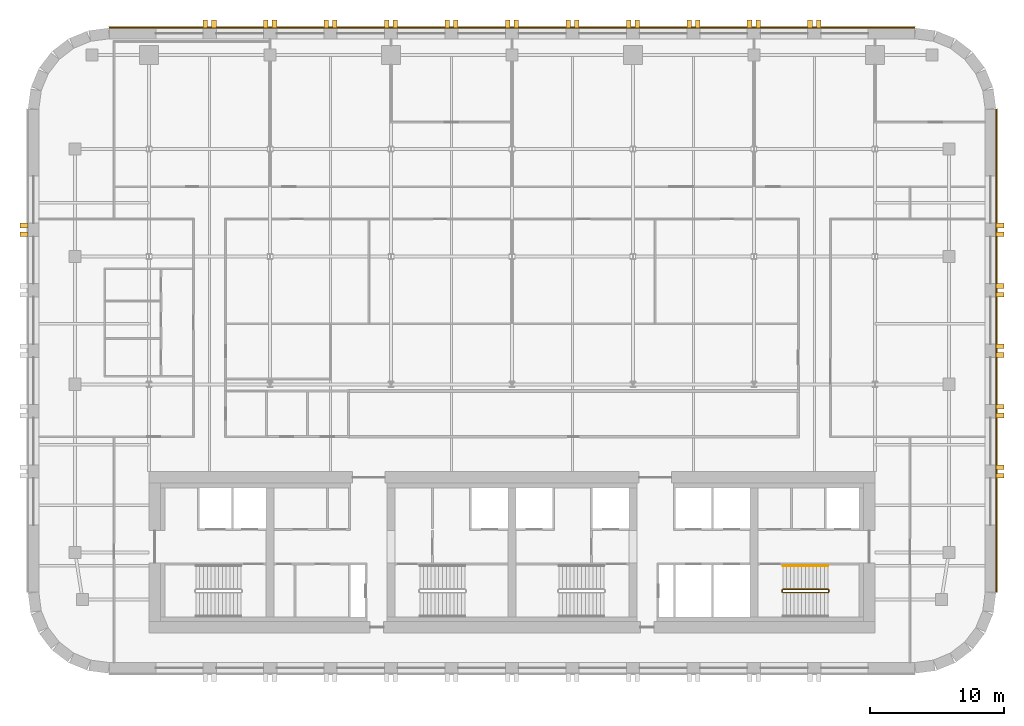
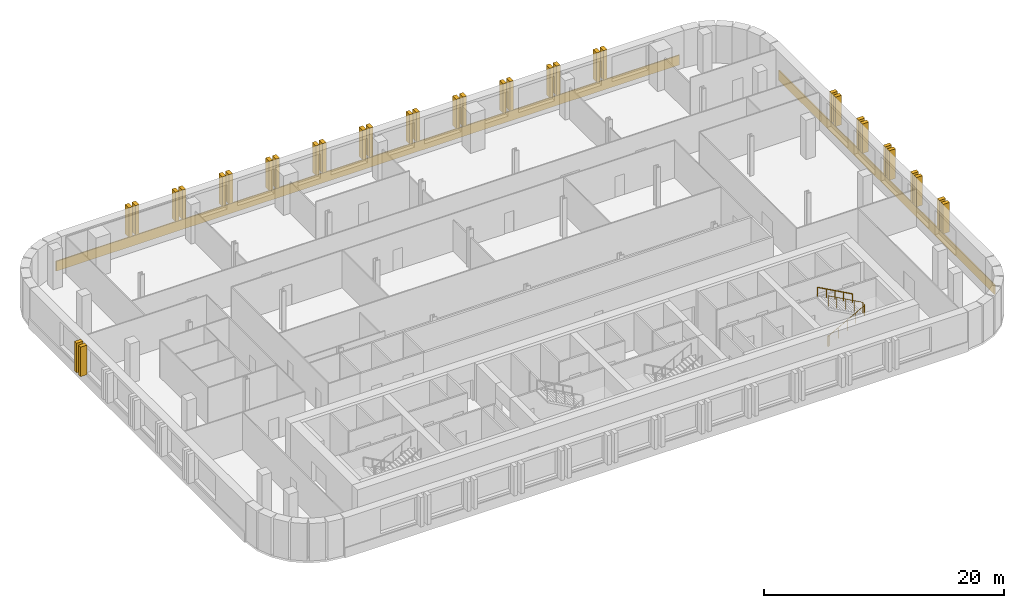
# One storey, part 9 of 9: 36 coverings, 2 railings.
"""IFC4 building model written with IfcOpenShell, lengths in metres."""

from ifc_helpers import new_model, si_unit, direction, frame, origin, origin_2d, place, context, subcontext, project, spatial, polyline, circle, outline, extrude, material, layer, layer_set, type_object, element, save


model = new_model("IFC4")

# Units and contexts
model_context = context("Model", 3, precision=1e-05, world=origin(), true_north=direction((0.0, 1.0)))
body_context = subcontext(model_context, "Body", "Model", "MODEL_VIEW")
ifc_project = project(units=[si_unit("LENGTHUNIT", "METRE"), si_unit("AREAUNIT", "SQUARE_METRE"), si_unit("VOLUMEUNIT", "CUBIC_METRE"), si_unit("PLANEANGLEUNIT", "RADIAN"), si_unit("MASSUNIT", "GRAM", prefix="KILO")], contexts=[model_context])

# Site, building, storey
site_placement = place(None, origin())
site = spatial("IfcSite", under=ifc_project, at=site_placement, CompositionType="ELEMENT")
building_placement = place(site_placement, origin())
building = spatial("IfcBuilding", under=site, at=building_placement, Name="Zellij Exchange Tower", CompositionType="ELEMENT")
storey_placement = place(building_placement, frame((0.0, 0.0, 184.5)))
storey = spatial("IfcBuildingStorey", under=building, at=storey_placement, Name="L42", CompositionType="ELEMENT", Elevation=184.5)

# Railings
ifc_material_1 = material(Name="Stainless steel", Category="steel")
railing_type_1 = type_object("IfcRailingType", Name="CORE-RG stair guard", PredefinedType="GUARDRAIL", material=ifc_material_1)
railing_1_placement = place(storey_placement, frame((20.10009765625, -10.949951171875, 0.0)))
element("IfcRailing", 1, at=railing_1_placement, inside=storey, type_object=railing_type_1, Name="ST4 stair guard L42", PredefinedType="GUARDRAIL", context=body_context, shape_type="SweptSolid", body=[
    extrude(circle(Radius=0.02392578125, at=origin_2d()), frame((0.0, 0.0, 1.076171875), z_axis=(0.0, 1.0, 0.0), x_axis=(-1.0, 0.0, 0.0)), (0.0, 0.0, 1.0), 0.14990234375),
    extrude(circle(Radius=0.02392578125, at=origin_2d()), frame((0.0, 0.14990234375, 1.076171875), z_axis=(0.193691321961, -0.777613689637, 0.598164376644), x_axis=(0.970351222016, 0.241699205484, 0.0)), (0.0, 0.0, 1.0), 0.257080078125),
    extrude(circle(Radius=0.02392578125, at=origin_2d()), frame((0.0498046875, -0.050048828125, 1.22998046875), z_axis=(0.876421534553, 0.0, 0.481544695509), x_axis=(0.0, 1.0, 0.0)), (0.0, 0.0, 1.0), 3.833984375),
    extrude(circle(Radius=0.02392578125, at=origin_2d()), frame((3.409912109375, -0.050048828125, 3.076171875), z_axis=(0.707106781187, 0.707106781187, 0.0), x_axis=(-0.707106781187, 0.707106781187, 0.0)), (0.0, 0.0, 1.0), 0.07080078125),
    extrude(circle(Radius=0.02392578125, at=origin_2d()), frame((3.4599609375, 0.0, 3.076171875), z_axis=(0.0, 1.0, 0.0), x_axis=(-1.0, 0.0, 0.0)), (0.0, 0.0, 1.0), 0.14990234375),
    extrude(circle(Radius=0.02392578125, at=origin_2d()), frame((3.4599609375, 0.14990234375, 3.076171875), z_axis=(-0.295599637079, 0.295599637079, 0.908428152975), x_axis=(-0.707106781187, -0.707106781187, 0.0)), (0.0, 0.0, 1.0), 0.16943359375),
    extrude(circle(Radius=0.02392578125, at=origin_2d()), frame((3.409912109375, 0.199951171875, 3.22998046875), z_axis=(-0.876421534553, 0.0, 0.481544695509), x_axis=(0.0, -1.0, 0.0)), (0.0, 0.0, 1.0), 3.833984375),
    extrude(circle(Radius=0.02099609375, at=origin_2d()), origin(), (0.0, 0.0, 1.0), 1.052001953125),
    extrude(circle(Radius=0.02099609375, at=origin_2d()), frame((0.0, 0.14990234375, 0.0)), (0.0, 0.0, 1.0), 1.052001953125),
    extrude(circle(Radius=0.02099609375, at=origin_2d()), frame((0.0498046875, -0.050048828125, 0.15380859375)), (0.0, 0.0, 1.0), 1.052001953125),
    extrude(circle(Radius=0.02099609375, at=origin_2d()), frame((0.889892578125, -0.050048828125, 0.615234375)), (0.0, 0.0, 1.0), 1.052001953125),
    extrude(circle(Radius=0.02099609375, at=origin_2d()), frame((1.72998046875, -0.050048828125, 1.076904296875)), (0.0, 0.0, 1.0), 1.052001953125),
    extrude(circle(Radius=0.02099609375, at=origin_2d()), frame((2.56982421875, -0.050048828125, 1.53857421875)), (0.0, 0.0, 1.0), 1.052001953125),
    extrude(circle(Radius=0.02099609375, at=origin_2d()), frame((3.409912109375, -0.050048828125, 2.0)), (0.0, 0.0, 1.0), 1.052001953125),
    extrude(circle(Radius=0.02099609375, at=origin_2d()), frame((3.4599609375, 0.0, 2.0)), (0.0, 0.0, 1.0), 1.052001953125),
    extrude(circle(Radius=0.02099609375, at=origin_2d()), frame((3.4599609375, 0.14990234375, 2.0)), (0.0, 0.0, 1.0), 1.052001953125),
    extrude(circle(Radius=0.02099609375, at=origin_2d()), frame((3.409912109375, 0.199951171875, 2.15380859375)), (0.0, 0.0, 1.0), 1.052001953125),
    extrude(circle(Radius=0.02099609375, at=origin_2d()), frame((2.56982421875, 0.199951171875, 2.615234375)), (0.0, 0.0, 1.0), 1.052001953125),
    extrude(circle(Radius=0.02099609375, at=origin_2d()), frame((1.72998046875, 0.199951171875, 3.076904296875)), (0.0, 0.0, 1.0), 1.052001953125),
    extrude(circle(Radius=0.02099609375, at=origin_2d()), frame((0.889892578125, 0.199951171875, 3.53857421875)), (0.0, 0.0, 1.0), 1.052001953125),
    extrude(circle(Radius=0.02099609375, at=origin_2d()), frame((0.0498046875, 0.199951171875, 4.0)), (0.0, 0.0, 1.0), 1.052001953125),
])
railing_type_2 = type_object("IfcRailingType", Name="CORE-RH stair handrail", PredefinedType="HANDRAIL", material=ifc_material_1)
railing_2_placement = place(storey_placement, frame((23.510009765625, -9.0, 2.15380859375)))
element("IfcRailing", 2, at=railing_2_placement, inside=storey, type_object=railing_type_2, Name="ST4 stair handrail L42", PredefinedType="HANDRAIL", context=body_context, shape_type="SweptSolid", body=[
    extrude(circle(Radius=0.02392578125, at=origin_2d()), frame((0.0, 0.0, 0.8759765625), z_axis=(-0.876421534553, 0.0, 0.481544695509), x_axis=(0.0, -1.0, 0.0)), (0.0, 0.0, 1.0), 3.833984375),
    extrude(circle(Radius=0.02099609375, at=origin_2d()), origin(), (0.0, 0.0, 1.0), 0.851806640625),
    extrude(circle(Radius=0.02099609375, at=origin_2d()), frame((-0.840087890625, 0.0, 0.46142578125)), (0.0, 0.0, 1.0), 0.851806640625),
    extrude(circle(Radius=0.02099609375, at=origin_2d()), frame((-1.68017578125, 0.0, 0.923095703125)), (0.0, 0.0, 1.0), 0.851806640625),
    extrude(circle(Radius=0.02099609375, at=origin_2d()), frame((-2.52001953125, 0.0, 1.384765625)), (0.0, 0.0, 1.0), 0.851806640625),
    extrude(circle(Radius=0.02099609375, at=origin_2d()), frame((-3.360107421875, 0.0, 1.84619140625)), (0.0, 0.0, 1.0), 0.851806640625),
])

# Coverings
ifc_material_2 = material(Name="Limestone cladding", Category="masonry")
covering_type_1 = type_object("IfcCoveringType", Name="ENV-CV3 Stone pier 350x600", PredefinedType="CLADDING", material=ifc_material_2)
covering_1_placement = place(storey_placement, frame((0.0, 0.0, 0.800048828125)))
element("IfcCovering", 3, at=covering_1_placement, inside=storey, type_object=covering_type_1, Name="Stone pier", PredefinedType="CLADDING", context=body_context, shape_type="SweptSolid", body=[
    extrude(outline(polyline([(36.0, -2.48681640625), (36.0, -2.136962890625), (36.60009765625, -2.136962890625), (36.60009765625, -2.48681640625), (36.0, -2.48681640625)])), origin(), (0.0, 0.0, 1.0), 3.0),
])
covering_2_placement = place(storey_placement, frame((0.0, 0.0, 0.800048828125)))
element("IfcCovering", 4, at=covering_2_placement, inside=storey, type_object=covering_type_1, Name="Stone pier", PredefinedType="CLADDING", context=body_context, shape_type="SweptSolid", body=[
    extrude(outline(polyline([(36.0, -1.8369140625), (36.0, -1.48681640625), (36.60009765625, -1.48681640625), (36.60009765625, -1.8369140625), (36.0, -1.8369140625)])), origin(), (0.0, 0.0, 1.0), 3.0),
])
covering_3_placement = place(storey_placement, frame((0.0, 0.0, 0.800048828125)))
element("IfcCovering", 5, at=covering_3_placement, inside=storey, type_object=covering_type_1, Name="Stone pier", PredefinedType="CLADDING", context=body_context, shape_type="SweptSolid", body=[
    extrude(outline(polyline([(36.0, 2.006591796875), (36.0, 2.3564453125), (36.60009765625, 2.3564453125), (36.60009765625, 2.006591796875), (36.0, 2.006591796875)])), origin(), (0.0, 0.0, 1.0), 3.0),
])
covering_4_placement = place(storey_placement, frame((0.0, 0.0, 0.800048828125)))
element("IfcCovering", 6, at=covering_4_placement, inside=storey, type_object=covering_type_1, Name="Stone pier", PredefinedType="CLADDING", context=body_context, shape_type="SweptSolid", body=[
    extrude(outline(polyline([(36.0, 2.656494140625), (36.0, 3.006591796875), (36.60009765625, 3.006591796875), (36.60009765625, 2.656494140625), (36.0, 2.656494140625)])), origin(), (0.0, 0.0, 1.0), 3.0),
])
covering_5_placement = place(storey_placement, frame((0.0, 0.0, 0.800048828125)))
element("IfcCovering", 7, at=covering_5_placement, inside=storey, type_object=covering_type_1, Name="Stone pier", PredefinedType="CLADDING", context=body_context, shape_type="SweptSolid", body=[
    extrude(outline(polyline([(36.0, 6.5), (36.0, 6.85009765625), (36.60009765625, 6.85009765625), (36.60009765625, 6.5), (36.0, 6.5)])), origin(), (0.0, 0.0, 1.0), 3.0),
])
covering_6_placement = place(storey_placement, frame((0.0, 0.0, 0.800048828125)))
element("IfcCovering", 8, at=covering_6_placement, inside=storey, type_object=covering_type_1, Name="Stone pier", PredefinedType="CLADDING", context=body_context, shape_type="SweptSolid", body=[
    extrude(outline(polyline([(36.0, 7.14990234375), (36.0, 7.5), (36.60009765625, 7.5), (36.60009765625, 7.14990234375), (36.0, 7.14990234375)])), origin(), (0.0, 0.0, 1.0), 3.0),
])
covering_7_placement = place(storey_placement, frame((0.0, 0.0, 0.800048828125)))
element("IfcCovering", 9, at=covering_7_placement, inside=storey, type_object=covering_type_1, Name="Stone pier", PredefinedType="CLADDING", context=body_context, shape_type="SweptSolid", body=[
    extrude(outline(polyline([(36.0, 10.993408203125), (36.0, 11.343505859375), (36.60009765625, 11.343505859375), (36.60009765625, 10.993408203125), (36.0, 10.993408203125)])), origin(), (0.0, 0.0, 1.0), 3.0),
])
covering_8_placement = place(storey_placement, frame((0.0, 0.0, 0.800048828125)))
element("IfcCovering", 10, at=covering_8_placement, inside=storey, type_object=covering_type_1, Name="Stone pier", PredefinedType="CLADDING", context=body_context, shape_type="SweptSolid", body=[
    extrude(outline(polyline([(36.0, 11.643310546875), (36.0, 11.993408203125), (36.60009765625, 11.993408203125), (36.60009765625, 11.643310546875), (36.0, 11.643310546875)])), origin(), (0.0, 0.0, 1.0), 3.0),
])
covering_9_placement = place(storey_placement, frame((0.0, 0.0, 0.800048828125)))
element("IfcCovering", 11, at=covering_9_placement, inside=storey, type_object=covering_type_1, Name="Stone pier", PredefinedType="CLADDING", context=body_context, shape_type="SweptSolid", body=[
    extrude(outline(polyline([(36.0, 15.48681640625), (36.0, 15.8369140625), (36.60009765625, 15.8369140625), (36.60009765625, 15.48681640625), (36.0, 15.48681640625)])), origin(), (0.0, 0.0, 1.0), 3.0),
])
covering_10_placement = place(storey_placement, frame((0.0, 0.0, 0.800048828125)))
element("IfcCovering", 12, at=covering_10_placement, inside=storey, type_object=covering_type_1, Name="Stone pier", PredefinedType="CLADDING", context=body_context, shape_type="SweptSolid", body=[
    extrude(outline(polyline([(36.0, 16.136962890625), (36.0, 16.48681640625), (36.60009765625, 16.48681640625), (36.60009765625, 16.136962890625), (36.0, 16.136962890625)])), origin(), (0.0, 0.0, 1.0), 3.0),
])
covering_11_placement = place(storey_placement, frame((0.0, 0.0, 0.800048828125)))
element("IfcCovering", 13, at=covering_11_placement, inside=storey, type_object=covering_type_1, Name="Stone pier", PredefinedType="CLADDING", context=body_context, shape_type="SweptSolid", body=[
    extrude(outline(polyline([(23.0, 31.0), (22.64990234375, 31.0), (22.64990234375, 31.60009765625), (23.0, 31.60009765625), (23.0, 31.0)])), origin(), (0.0, 0.0, 1.0), 3.0),
])
covering_12_placement = place(storey_placement, frame((0.0, 0.0, 0.800048828125)))
element("IfcCovering", 14, at=covering_12_placement, inside=storey, type_object=covering_type_1, Name="Stone pier", PredefinedType="CLADDING", context=body_context, shape_type="SweptSolid", body=[
    extrude(outline(polyline([(22.35009765625, 31.0), (22.0, 31.0), (22.0, 31.60009765625), (22.35009765625, 31.60009765625), (22.35009765625, 31.0)])), origin(), (0.0, 0.0, 1.0), 3.0),
])
covering_13_placement = place(storey_placement, frame((0.0, 0.0, 0.800048828125)))
element("IfcCovering", 15, at=covering_13_placement, inside=storey, type_object=covering_type_1, Name="Stone pier", PredefinedType="CLADDING", context=body_context, shape_type="SweptSolid", body=[
    extrude(outline(polyline([(18.5, 31.0), (18.14990234375, 31.0), (18.14990234375, 31.60009765625), (18.5, 31.60009765625), (18.5, 31.0)])), origin(), (0.0, 0.0, 1.0), 3.0),
])
covering_14_placement = place(storey_placement, frame((0.0, 0.0, 0.800048828125)))
element("IfcCovering", 16, at=covering_14_placement, inside=storey, type_object=covering_type_1, Name="Stone pier", PredefinedType="CLADDING", context=body_context, shape_type="SweptSolid", body=[
    extrude(outline(polyline([(17.85009765625, 31.0), (17.5, 31.0), (17.5, 31.60009765625), (17.85009765625, 31.60009765625), (17.85009765625, 31.0)])), origin(), (0.0, 0.0, 1.0), 3.0),
])
covering_15_placement = place(storey_placement, frame((0.0, 0.0, 0.800048828125)))
element("IfcCovering", 17, at=covering_15_placement, inside=storey, type_object=covering_type_1, Name="Stone pier", PredefinedType="CLADDING", context=body_context, shape_type="SweptSolid", body=[
    extrude(outline(polyline([(14.0, 31.0), (13.64990234375, 31.0), (13.64990234375, 31.60009765625), (14.0, 31.60009765625), (14.0, 31.0)])), origin(), (0.0, 0.0, 1.0), 3.0),
])
covering_16_placement = place(storey_placement, frame((0.0, 0.0, 0.800048828125)))
element("IfcCovering", 18, at=covering_16_placement, inside=storey, type_object=covering_type_1, Name="Stone pier", PredefinedType="CLADDING", context=body_context, shape_type="SweptSolid", body=[
    extrude(outline(polyline([(13.35009765625, 31.0), (13.0, 31.0), (13.0, 31.60009765625), (13.35009765625, 31.60009765625), (13.35009765625, 31.0)])), origin(), (0.0, 0.0, 1.0), 3.0),
])
covering_17_placement = place(storey_placement, frame((0.0, 0.0, 0.800048828125)))
element("IfcCovering", 19, at=covering_17_placement, inside=storey, type_object=covering_type_1, Name="Stone pier", PredefinedType="CLADDING", context=body_context, shape_type="SweptSolid", body=[
    extrude(outline(polyline([(9.5, 31.0), (9.14990234375, 31.0), (9.14990234375, 31.60009765625), (9.5, 31.60009765625), (9.5, 31.0)])), origin(), (0.0, 0.0, 1.0), 3.0),
])
covering_18_placement = place(storey_placement, frame((0.0, 0.0, 0.800048828125)))
element("IfcCovering", 20, at=covering_18_placement, inside=storey, type_object=covering_type_1, Name="Stone pier", PredefinedType="CLADDING", context=body_context, shape_type="SweptSolid", body=[
    extrude(outline(polyline([(8.85009765625, 31.0), (8.5, 31.0), (8.5, 31.60009765625), (8.85009765625, 31.60009765625), (8.85009765625, 31.0)])), origin(), (0.0, 0.0, 1.0), 3.0),
])
covering_19_placement = place(storey_placement, frame((0.0, 0.0, 0.800048828125)))
element("IfcCovering", 21, at=covering_19_placement, inside=storey, type_object=covering_type_1, Name="Stone pier", PredefinedType="CLADDING", context=body_context, shape_type="SweptSolid", body=[
    extrude(outline(polyline([(5.0, 31.0), (4.64990234375, 31.0), (4.64990234375, 31.60009765625), (5.0, 31.60009765625), (5.0, 31.0)])), origin(), (0.0, 0.0, 1.0), 3.0),
])
covering_20_placement = place(storey_placement, frame((0.0, 0.0, 0.800048828125)))
element("IfcCovering", 22, at=covering_20_placement, inside=storey, type_object=covering_type_1, Name="Stone pier", PredefinedType="CLADDING", context=body_context, shape_type="SweptSolid", body=[
    extrude(outline(polyline([(4.35009765625, 31.0), (4.0, 31.0), (4.0, 31.60009765625), (4.35009765625, 31.60009765625), (4.35009765625, 31.0)])), origin(), (0.0, 0.0, 1.0), 3.0),
])
covering_21_placement = place(storey_placement, frame((0.0, 0.0, 0.800048828125)))
element("IfcCovering", 23, at=covering_21_placement, inside=storey, type_object=covering_type_1, Name="Stone pier", PredefinedType="CLADDING", context=body_context, shape_type="SweptSolid", body=[
    extrude(outline(polyline([(0.5, 31.0), (0.14990234375, 31.0), (0.14990234375, 31.60009765625), (0.5, 31.60009765625), (0.5, 31.0)])), origin(), (0.0, 0.0, 1.0), 3.0),
])
covering_22_placement = place(storey_placement, frame((0.0, 0.0, 0.800048828125)))
element("IfcCovering", 24, at=covering_22_placement, inside=storey, type_object=covering_type_1, Name="Stone pier", PredefinedType="CLADDING", context=body_context, shape_type="SweptSolid", body=[
    extrude(outline(polyline([(-0.14990234375, 31.0), (-0.5, 31.0), (-0.5, 31.60009765625), (-0.14990234375, 31.60009765625), (-0.14990234375, 31.0)])), origin(), (0.0, 0.0, 1.0), 3.0),
])
covering_23_placement = place(storey_placement, frame((0.0, 0.0, 0.800048828125)))
element("IfcCovering", 25, at=covering_23_placement, inside=storey, type_object=covering_type_1, Name="Stone pier", PredefinedType="CLADDING", context=body_context, shape_type="SweptSolid", body=[
    extrude(outline(polyline([(-4.0, 31.0), (-4.35009765625, 31.0), (-4.35009765625, 31.60009765625), (-4.0, 31.60009765625), (-4.0, 31.0)])), origin(), (0.0, 0.0, 1.0), 3.0),
])
covering_24_placement = place(storey_placement, frame((0.0, 0.0, 0.800048828125)))
element("IfcCovering", 26, at=covering_24_placement, inside=storey, type_object=covering_type_1, Name="Stone pier", PredefinedType="CLADDING", context=body_context, shape_type="SweptSolid", body=[
    extrude(outline(polyline([(-4.64990234375, 31.0), (-5.0, 31.0), (-5.0, 31.60009765625), (-4.64990234375, 31.60009765625), (-4.64990234375, 31.0)])), origin(), (0.0, 0.0, 1.0), 3.0),
])
covering_25_placement = place(storey_placement, frame((0.0, 0.0, 0.800048828125)))
element("IfcCovering", 27, at=covering_25_placement, inside=storey, type_object=covering_type_1, Name="Stone pier", PredefinedType="CLADDING", context=body_context, shape_type="SweptSolid", body=[
    extrude(outline(polyline([(-8.5, 31.0), (-8.85009765625, 31.0), (-8.85009765625, 31.60009765625), (-8.5, 31.60009765625), (-8.5, 31.0)])), origin(), (0.0, 0.0, 1.0), 3.0),
])
covering_26_placement = place(storey_placement, frame((0.0, 0.0, 0.800048828125)))
element("IfcCovering", 28, at=covering_26_placement, inside=storey, type_object=covering_type_1, Name="Stone pier", PredefinedType="CLADDING", context=body_context, shape_type="SweptSolid", body=[
    extrude(outline(polyline([(-9.14990234375, 31.0), (-9.5, 31.0), (-9.5, 31.60009765625), (-9.14990234375, 31.60009765625), (-9.14990234375, 31.0)])), origin(), (0.0, 0.0, 1.0), 3.0),
])
covering_27_placement = place(storey_placement, frame((0.0, 0.0, 0.800048828125)))
element("IfcCovering", 29, at=covering_27_placement, inside=storey, type_object=covering_type_1, Name="Stone pier", PredefinedType="CLADDING", context=body_context, shape_type="SweptSolid", body=[
    extrude(outline(polyline([(-13.0, 31.0), (-13.35009765625, 31.0), (-13.35009765625, 31.60009765625), (-13.0, 31.60009765625), (-13.0, 31.0)])), origin(), (0.0, 0.0, 1.0), 3.0),
])
covering_28_placement = place(storey_placement, frame((0.0, 0.0, 0.800048828125)))
element("IfcCovering", 30, at=covering_28_placement, inside=storey, type_object=covering_type_1, Name="Stone pier", PredefinedType="CLADDING", context=body_context, shape_type="SweptSolid", body=[
    extrude(outline(polyline([(-13.64990234375, 31.0), (-14.0, 31.0), (-14.0, 31.60009765625), (-13.64990234375, 31.60009765625), (-13.64990234375, 31.0)])), origin(), (0.0, 0.0, 1.0), 3.0),
])
covering_29_placement = place(storey_placement, frame((0.0, 0.0, 0.800048828125)))
element("IfcCovering", 31, at=covering_29_placement, inside=storey, type_object=covering_type_1, Name="Stone pier", PredefinedType="CLADDING", context=body_context, shape_type="SweptSolid", body=[
    extrude(outline(polyline([(-17.5, 31.0), (-17.85009765625, 31.0), (-17.85009765625, 31.60009765625), (-17.5, 31.60009765625), (-17.5, 31.0)])), origin(), (0.0, 0.0, 1.0), 3.0),
])
covering_30_placement = place(storey_placement, frame((0.0, 0.0, 0.800048828125)))
element("IfcCovering", 32, at=covering_30_placement, inside=storey, type_object=covering_type_1, Name="Stone pier", PredefinedType="CLADDING", context=body_context, shape_type="SweptSolid", body=[
    extrude(outline(polyline([(-18.14990234375, 31.0), (-18.5, 31.0), (-18.5, 31.60009765625), (-18.14990234375, 31.60009765625), (-18.14990234375, 31.0)])), origin(), (0.0, 0.0, 1.0), 3.0),
])
covering_31_placement = place(storey_placement, frame((0.0, 0.0, 0.800048828125)))
element("IfcCovering", 33, at=covering_31_placement, inside=storey, type_object=covering_type_1, Name="Stone pier", PredefinedType="CLADDING", context=body_context, shape_type="SweptSolid", body=[
    extrude(outline(polyline([(-22.0, 31.0), (-22.35009765625, 31.0), (-22.35009765625, 31.60009765625), (-22.0, 31.60009765625), (-22.0, 31.0)])), origin(), (0.0, 0.0, 1.0), 3.0),
])
covering_32_placement = place(storey_placement, frame((0.0, 0.0, 0.800048828125)))
element("IfcCovering", 34, at=covering_32_placement, inside=storey, type_object=covering_type_1, Name="Stone pier", PredefinedType="CLADDING", context=body_context, shape_type="SweptSolid", body=[
    extrude(outline(polyline([(-22.64990234375, 31.0), (-23.0, 31.0), (-23.0, 31.60009765625), (-22.64990234375, 31.60009765625), (-22.64990234375, 31.0)])), origin(), (0.0, 0.0, 1.0), 3.0),
])
covering_33_placement = place(storey_placement, frame((0.0, 0.0, 0.800048828125)))
element("IfcCovering", 35, at=covering_33_placement, inside=storey, type_object=covering_type_1, Name="Stone pier", PredefinedType="CLADDING", context=body_context, shape_type="SweptSolid", body=[
    extrude(outline(polyline([(-36.0, 16.48681640625), (-36.0, 16.136962890625), (-36.60009765625, 16.136962890625), (-36.60009765625, 16.48681640625), (-36.0, 16.48681640625)])), origin(), (0.0, 0.0, 1.0), 3.0),
])
covering_34_placement = place(storey_placement, frame((0.0, 0.0, 0.800048828125)))
element("IfcCovering", 36, at=covering_34_placement, inside=storey, type_object=covering_type_1, Name="Stone pier", PredefinedType="CLADDING", context=body_context, shape_type="SweptSolid", body=[
    extrude(outline(polyline([(-36.0, 15.8369140625), (-36.0, 15.48681640625), (-36.60009765625, 15.48681640625), (-36.60009765625, 15.8369140625), (-36.0, 15.8369140625)])), origin(), (0.0, 0.0, 1.0), 3.0),
])
ifc_layer = layer(ifc_material_2, 0.10009765625)
ifc_layer_set = layer_set([ifc_layer], Name="Limestone cladding")
covering_type_2 = type_object("IfcCoveringType", Name="ENV-CV9 Stone spandrel band 100", PredefinedType="CLADDING", material=ifc_layer_set)
covering_35_placement = place(storey_placement, frame((0.0, 0.0, -0.199951171875)))
element("IfcCovering", 37, at=covering_35_placement, inside=storey, type_object=covering_type_2, Name="Stone spandrel band", PredefinedType="CLADDING", context=body_context, shape_type="SweptSolid", body=[
    extrude(outline(polyline([(36.0, -10.973876953125), (36.0, 24.973876953125), (36.10009765625, 24.980224609375), (36.10009765625, -10.980224609375), (36.0, -10.973876953125)])), origin(), (0.0, 0.0, 1.0), 1.0),
])
covering_36_placement = place(storey_placement, frame((0.0, 0.0, -0.199951171875)))
element("IfcCovering", 38, at=covering_36_placement, inside=storey, type_object=covering_type_2, Name="Stone spandrel band", PredefinedType="CLADDING", context=body_context, shape_type="SweptSolid", body=[
    extrude(outline(polyline([(29.973876953125, 31.0), (-29.973876953125, 31.0), (-29.980224609375, 31.10009765625), (29.980224609375, 31.10009765625), (29.973876953125, 31.0)])), origin(), (0.0, 0.0, 1.0), 1.0),
])

save(model, "model.ifc")
